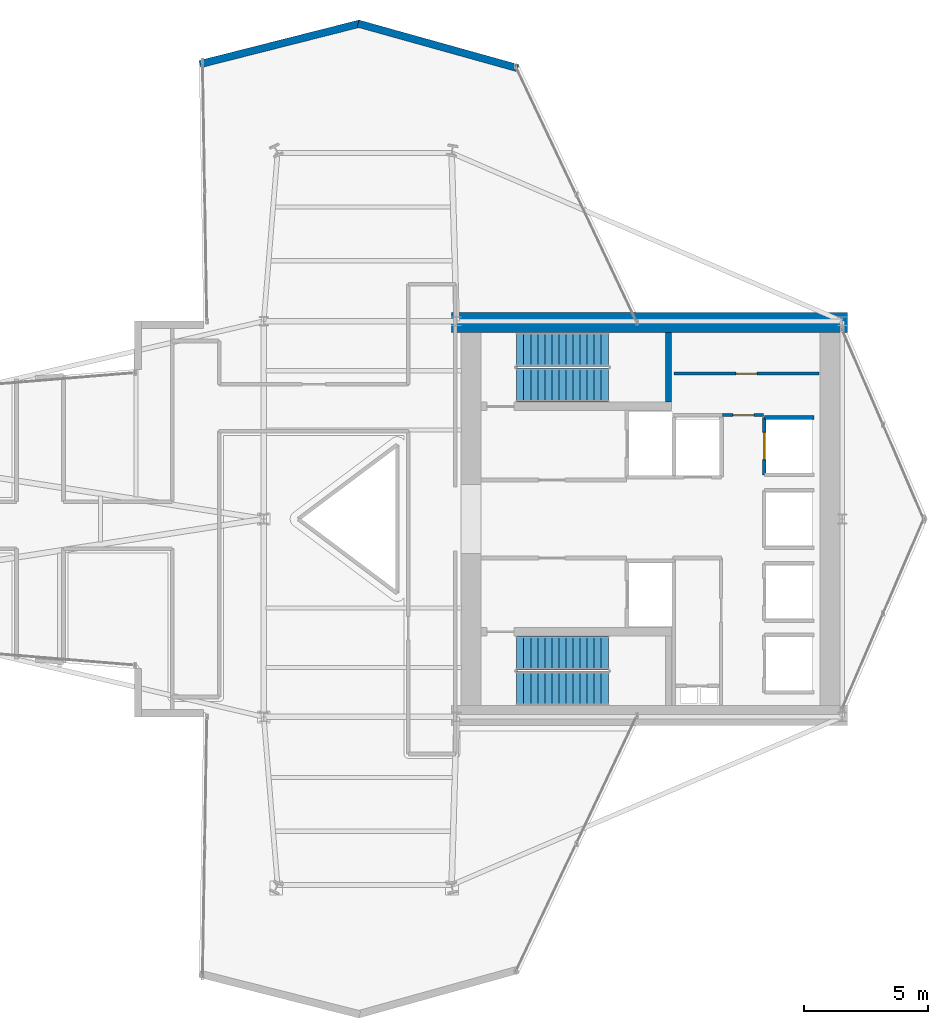
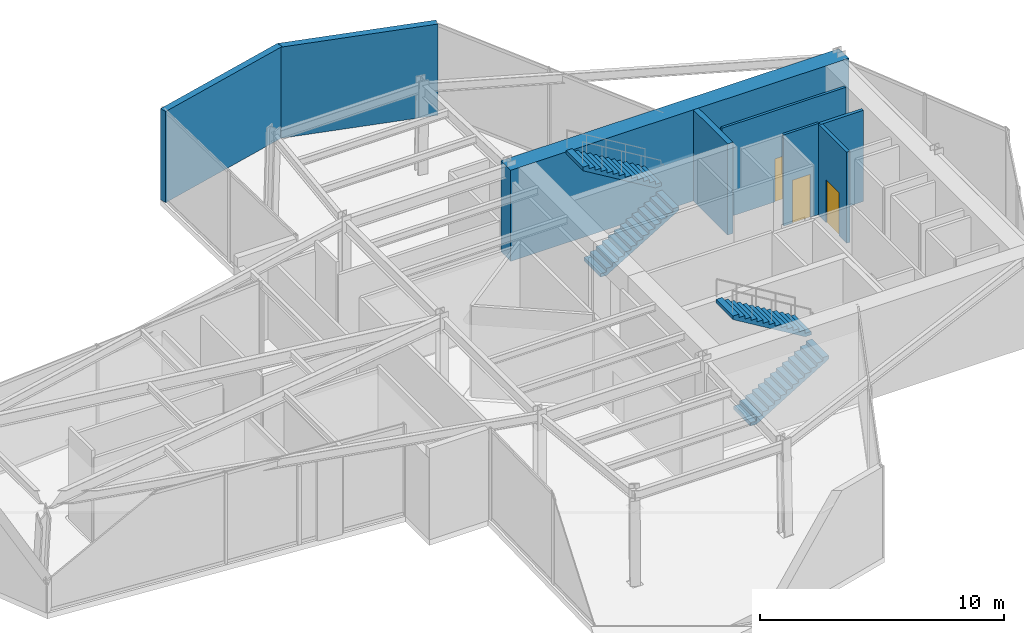
# One storey, part 11 of 13: 8 walls, 4 stair flights, 3 doors, 3 openings, 2 elements without a shape of their own.
"""IFC4 building model written with IfcOpenShell, lengths in metres."""

from ifc_helpers import new_model, si_unit, direction, frame, frame_2d, origin, place, context, subcontext, project, spatial, polyline, rectangle, outline, extrude, material, layer, layer_set, type_object, element, fill, aggregate, save


model = new_model("IFC4")

# Units and contexts
model_context = context("Model", 3, precision=1e-05, world=origin(), true_north=direction((0.0, 1.0)))
body_context = subcontext(model_context, "Body", "Model", "MODEL_VIEW")
ifc_project = project(units=[si_unit("LENGTHUNIT", "METRE"), si_unit("AREAUNIT", "SQUARE_METRE"), si_unit("VOLUMEUNIT", "CUBIC_METRE"), si_unit("PLANEANGLEUNIT", "RADIAN"), si_unit("MASSUNIT", "GRAM", prefix="KILO")], contexts=[model_context])

# Site, building, storey
site_placement = place(None, origin())
site = spatial("IfcSite", under=ifc_project, at=site_placement, CompositionType="ELEMENT")
building_placement = place(site_placement, origin())
building = spatial("IfcBuilding", under=site, at=building_placement, Name="Veymaron Broadcast Tower", CompositionType="ELEMENT")
storey_placement = place(building_placement, frame((0.0, 0.0, 112.050048828125)))
storey = spatial("IfcBuildingStorey", under=building, at=storey_placement, Name="L25", CompositionType="ELEMENT", Elevation=112.050048828125)

# Walls
ifc_material_1 = material(Name="Precast concrete C40/50 with mineral-wool insulation", Category="concrete")
ifc_layer_1 = layer(ifc_material_1, 0.300048828125)
ifc_layer_set_1 = layer_set([ifc_layer_1], Name="Precast concrete C40/50 with mineral-wool insulation")
wall_type_1 = type_object("IfcWallType", Name="WALL-EXT-300", PredefinedType="STANDARD", material=ifc_layer_set_1)
wall_1_placement = place(storey_placement, frame((41.478515625, 42.233154296875, 0.0), z_axis=(0.0, 0.0, 1.0), x_axis=(-0.963195644216, 0.268801322473, 0.0)))
element("IfcWall", 1, at=wall_1_placement, inside=storey, type_object=wall_type_1, Name="L25 notched corner facade pier 6-1", PredefinedType="STANDARD", context=body_context, shape_type="SweptSolid", body=[
    extrude(rectangle(XDim=6.711181640625, YDim=0.300048828125, at=frame_2d((3.35546875, 0.0))), origin(), (0.0, 0.0, 1.0), 4.56005859375),
])
wall_2_placement = place(storey_placement, frame((35.08642578125, 44.036376953125, 0.0), z_axis=(0.0, 0.0, 1.0), x_axis=(-0.969285922057, -0.245936579838, 0.0)))
element("IfcWall", 2, at=wall_2_placement, inside=storey, type_object=wall_type_1, Name="L25 notched corner facade pier 7-1", PredefinedType="STANDARD", context=body_context, shape_type="SweptSolid", body=[
    extrude(rectangle(XDim=6.6689453125, YDim=0.300048828125, at=frame_2d((3.33447265625, 0.0))), origin(), (0.0, 0.0, 1.0), 4.56005859375),
])

# Wall, opening, door
ifc_material_2 = material(Name="Gypsum fireboard and steel stud framing", Category="steel")
ifc_layer_2 = layer(ifc_material_2, 0.14990234375)
ifc_layer_set_2 = layer_set([ifc_layer_2], Name="Gypsum fireboard and steel stud framing")
wall_type_2 = type_object("IfcWallType", Name="WALL-FIRE-150", PredefinedType="PARTITIONING", material=ifc_layer_set_2)
wall_3_placement = place(storey_placement, frame((51.445068359375, 25.7900390625, 0.0), z_axis=(0.0, 0.0, 1.0), x_axis=(0.0, 1.0, 0.0)))
wall_3 = element("IfcWall", 3, at=wall_3_placement, inside=storey, type_object=wall_type_2, Name="L25 partition IW-L25-SHW-PM1", PredefinedType="PARTITIONING", context=body_context, shape_type="SweptSolid", body=[
    extrude(rectangle(XDim=2.320068359375, YDim=0.14990234375, at=frame_2d((1.16015625, 0.0))), origin(), (0.0, 0.0, 1.0), 4.56005859375),
])
opening_1_placement = place(wall_3_placement, frame((0.610107421875, 0.0, 0.0)))
opening_1 = element("IfcOpeningElement", 4, at=opening_1_placement, cuts=wall_3, Name="Opening LD", PredefinedType="OPENING", context=body_context, shape_type="SweptSolid", body=[
    extrude(rectangle(XDim=1.10009765625, YDim=2.14990234375, at=frame_2d((0.550048828125, 1.074951171875))), frame((0.0, 0.0849609375, 0.0), z_axis=(0.0, -1.0, 0.0), x_axis=(1.0, 0.0, 0.0)), (0.0, 0.0, 1.0), 0.169921875),
])
ifc_material_3 = material(Name="Brushed stainless steel AISI 304", Category="steel")
door_type_1 = type_object("IfcDoorType", Name="DOOR-LIFT-1100", OperationType="DOUBLE_DOOR_SLIDING", PredefinedType="DOOR", material=ifc_material_3)
door_1_placement = place(opening_1_placement, frame((1.10009765625, 0.0, 0.0), z_axis=(0.0, 0.0, 1.0), x_axis=(-1.0, 0.0, 0.0)))
door_1 = element("IfcDoor", 5, at=door_1_placement, inside=storey, type_object=door_type_1, Name="L25 door LD-L25-PM1", OperationType="DOUBLE_DOOR_SLIDING", OverallHeight=2.14990234375, OverallWidth=1.10009765625, PredefinedType="DOOR", context=body_context, shape_type="SweptSolid", body=[
    extrude(rectangle(XDim=1.10009765625, YDim=2.14990234375, at=frame_2d((0.550048828125, 1.074951171875))), frame((0.0, 0.02490234375, 0.0), z_axis=(0.0, -1.0, 0.0), x_axis=(1.0, 0.0, 0.0)), (0.0, 0.0, 1.0), 0.050048828125),
])
fill(opening_1, door_1)

# Wall
wall_4_placement = place(storey_placement, frame((51.445068359375, 28.110107421875, 0.0), z_axis=(0.0, 0.0, 1.0), x_axis=(1.0, 0.0, 0.0)))
element("IfcWall", 6, at=wall_4_placement, inside=storey, type_object=wall_type_2, Name="L25 partition IW-L25-SHN-PM1", PredefinedType="PARTITIONING", context=body_context, shape_type="SweptSolid", body=[
    extrude(rectangle(XDim=2.014892578125, YDim=0.14990234375, at=frame_2d((1.00732421875, 0.0))), origin(), (0.0, 0.0, 1.0), 4.56005859375),
])

# Wall, opening, door
ifc_material_4 = material(Name="Acoustic gypsum board and galvanized stud", Category="gypsum")
ifc_layer_3 = layer(ifc_material_4, 0.1201171875)
ifc_layer_set_3 = layer_set([ifc_layer_3], Name="Acoustic gypsum board and galvanized stud")
wall_type_3 = type_object("IfcWallType", Name="WALL-PART-120", PredefinedType="PARTITIONING", material=ifc_layer_set_3)
wall_5_placement = place(storey_placement, frame((49.75, 28.199951171875, 0.0), z_axis=(0.0, 0.0, 1.0), x_axis=(1.0, 0.0, 0.0)))
wall_5 = element("IfcWall", 7, at=wall_5_placement, inside=storey, type_object=wall_type_3, Name="L25 partition IW-L25-F1-S", PredefinedType="PARTITIONING", context=body_context, shape_type="SweptSolid", body=[
    extrude(rectangle(XDim=1.669921875, YDim=0.1201171875, at=frame_2d((0.8349609375, 0.0))), origin(), (0.0, 0.0, 1.0), 4.56005859375),
])
opening_2_placement = place(wall_5_placement, frame((0.419921875, 0.0, 0.0)))
opening_2 = element("IfcOpeningElement", 8, at=opening_2_placement, cuts=wall_5, Name="Opening ID-WC1", PredefinedType="OPENING", context=body_context, shape_type="SweptSolid", body=[
    extrude(rectangle(XDim=0.85009765625, YDim=2.14990234375, at=frame_2d((0.425048828125, 1.074951171875))), frame((0.0, 0.070068359375, 0.0), z_axis=(0.0, -1.0, 0.0), x_axis=(1.0, 0.0, 0.0)), (0.0, 0.0, 1.0), 0.14013671875),
])
ifc_material_5 = material(Name="Moisture-resistant high-pressure laminate timber", Category="wood")
door_type_2 = type_object("IfcDoorType", Name="DOOR-INT-850", OperationType="NOTDEFINED", PredefinedType="DOOR", material=ifc_material_5)
door_2_placement = place(opening_2_placement, origin())
door_2 = element("IfcDoor", 9, at=door_2_placement, inside=storey, type_object=door_type_2, Name="L25 door DR-L25-F1A", OperationType="SINGLE_SWING_LEFT", OverallHeight=2.14990234375, OverallWidth=0.85009765625, PredefinedType="DOOR", context=body_context, shape_type="SweptSolid", body=[
    extrude(rectangle(XDim=0.85009765625, YDim=2.14990234375, at=frame_2d((0.425048828125, 1.074951171875))), frame((0.0, 0.02490234375, 0.0), z_axis=(0.0, -1.0, 0.0), x_axis=(1.0, 0.0, 0.0)), (0.0, 0.0, 1.0), 0.050048828125),
])
fill(opening_2, door_2)

wall_6_placement = place(storey_placement, frame((47.800048828125, 29.8798828125, 0.0), z_axis=(0.0, 0.0, 1.0), x_axis=(1.0, 0.0, 0.0)))
wall_6 = element("IfcWall", 10, at=wall_6_placement, inside=storey, type_object=wall_type_3, Name="L25 partition IW-L25-F1-MY", PredefinedType="PARTITIONING", context=body_context, shape_type="SweptSolid", body=[
    extrude(rectangle(XDim=5.85986328125, YDim=0.1201171875, at=frame_2d((2.929931640625, 0.0))), origin(), (0.0, 0.0, 1.0), 4.56005859375),
])
opening_3_placement = place(wall_6_placement, frame((2.5, 0.0, 0.0)))
opening_3 = element("IfcOpeningElement", 11, at=opening_3_placement, cuts=wall_6, Name="Opening ID-WC1", PredefinedType="OPENING", context=body_context, shape_type="SweptSolid", body=[
    extrude(rectangle(XDim=0.85009765625, YDim=2.14990234375, at=frame_2d((0.425048828125, 1.074951171875))), frame((0.0, 0.070068359375, 0.0), z_axis=(0.0, -1.0, 0.0), x_axis=(1.0, 0.0, 0.0)), (0.0, 0.0, 1.0), 0.14013671875),
])
door_3_placement = place(opening_3_placement, origin())
door_3 = element("IfcDoor", 12, at=door_3_placement, inside=storey, type_object=door_type_2, Name="L25 door DR-L25-F1B", OperationType="SINGLE_SWING_RIGHT", OverallHeight=2.14990234375, OverallWidth=0.85009765625, PredefinedType="DOOR", context=body_context, shape_type="SweptSolid", body=[
    extrude(rectangle(XDim=0.85009765625, YDim=2.14990234375, at=frame_2d((0.425048828125, 1.074951171875))), frame((0.0, 0.02490234375, 0.0), z_axis=(0.0, -1.0, 0.0), x_axis=(1.0, 0.0, 0.0)), (0.0, 0.0, 1.0), 0.050048828125),
])
fill(opening_3, door_3)

# Walls
ifc_material_6 = material(Name="Concrete C50/60", Category="concrete")
ifc_layer_4 = layer(ifc_material_6, 0.25)
ifc_layer_set_4 = layer_set([ifc_layer_4], Name="Concrete C50/60")
wall_type_4 = type_object("IfcWallType", Name="WALL-SHEAR-250", PredefinedType="SHEAR", material=ifc_layer_set_4)
wall_7_placement = place(storey_placement, frame((47.56494140625, 28.72998046875, 0.0), z_axis=(0.0, 0.0, 1.0), x_axis=(0.0, 1.0, 0.0)))
element("IfcWall", 13, at=wall_7_placement, inside=storey, type_object=wall_type_4, Name="L25 Core Wall north stair east shear", PredefinedType="SHEAR", context=body_context, shape_type="SweptSolid", body=[
    extrude(rectangle(XDim=2.820068359375, YDim=0.25, at=frame_2d((1.41015625, 0.0))), origin(), (0.0, 0.0, 1.0), 4.56005859375),
])
ifc_material_7 = material(Name="Concrete C60/75", Category="concrete")
ifc_layer_5 = layer(ifc_material_7, 0.800048828125)
ifc_layer_set_5 = layer_set([ifc_layer_5], Name="Concrete C60/75")
wall_type_5 = type_object("IfcWallType", Name="WALL-SHEAR-800", PredefinedType="SHEAR", material=ifc_layer_set_5)
wall_8_placement = place(storey_placement, frame((38.800048828125, 31.949951171875, 0.0), z_axis=(0.0, 0.0, 1.0), x_axis=(1.0, 0.0, 0.0)))
element("IfcWall", 14, at=wall_8_placement, inside=storey, type_object=wall_type_5, Name="L25 Core Wall north shear", PredefinedType="SHEAR", context=body_context, shape_type="SweptSolid", body=[
    extrude(rectangle(XDim=16.0, YDim=0.800048828125, at=frame_2d((8.0, 0.0))), origin(), (0.0, 0.0, 1.0), 4.56005859375),
])

# Stair, stair flights
stair_type_1 = type_object("IfcStairType", Name="STAIR-CORE-1", PredefinedType="HALF_TURN_STAIR", material=ifc_material_6)
stair_1_placement = place(storey_placement, origin())
stair_1 = element("IfcStair", 15, at=stair_1_placement, inside=storey, type_object=stair_type_1, Name="L25 North protected dog-leg exit stair ST1", PredefinedType="HALF_TURN_STAIR")
ifc_material_8 = material(Name="Precast concrete C50/60", Category="concrete")
stair_flight_type = type_object("IfcStairFlightType", Name="FLT-CORE-RC", PredefinedType="STRAIGHT", material=ifc_material_8)
stair_flight_1_placement = place(storey_placement, frame((41.429931640625, 29.419921875, 0.0), z_axis=(0.0, 0.0, 1.0), x_axis=(1.0, 0.0, 0.0)))
stair_flight_1 = element("IfcStairFlight", 16, at=stair_flight_1_placement, type_object=stair_flight_type, Name="ST1 flight 1", NumberOfRisers=14, NumberOfTreads=13, PredefinedType="STRAIGHT", RiserHeight=0.171428571, TreadLength=0.285, context=body_context, shape_type="SweptSolid", body=[
    extrude(outline(polyline([(0.0, 0.0), (0.0, 0.17138671875), (0.284912109375, 0.17138671875), (0.284912109375, 0.3427734375), (0.570068359375, 0.3427734375), (0.570068359375, 0.514404296875), (0.85498046875, 0.514404296875), (0.85498046875, 0.685791015625), (1.139892578125, 0.685791015625), (1.139892578125, 0.857177734375), (1.425048828125, 0.857177734375), (1.425048828125, 1.028564453125), (1.7099609375, 1.028564453125), (1.7099609375, 1.199951171875), (1.9951171875, 1.199951171875), (1.9951171875, 1.371337890625), (2.280029296875, 1.371337890625), (2.280029296875, 1.54296875), (2.56494140625, 1.54296875), (2.56494140625, 1.71435546875), (2.85009765625, 1.71435546875), (2.85009765625, 1.8857421875), (3.135009765625, 1.8857421875), (3.135009765625, 2.05712890625), (3.419921875, 2.05712890625), (3.419921875, 2.228515625), (3.705078125, 2.228515625), (3.705078125, 2.39990234375), (3.705078125, 2.0537109375), (0.290771484375, 0.0), (0.0, 0.0)])), frame((0.0, 0.68994140625, 0.0), z_axis=(0.0, -1.0, 0.0), x_axis=(1.0, 0.0, 0.0)), (0.0, 0.0, 1.0), 1.3798828125),
])
stair_flight_2_placement = place(storey_placement, frame((45.135009765625, 30.860107421875, 2.39990234375), z_axis=(0.0, 0.0, 1.0), x_axis=(-1.0, 0.0, 0.0)))
stair_flight_2 = element("IfcStairFlight", 17, at=stair_flight_2_placement, type_object=stair_flight_type, Name="ST1 flight 2", NumberOfRisers=14, NumberOfTreads=13, PredefinedType="STRAIGHT", RiserHeight=0.171428571, TreadLength=0.285, context=body_context, shape_type="SweptSolid", body=[
    extrude(outline(polyline([(0.0, 0.0), (0.0, 0.17138671875), (0.284912109375, 0.17138671875), (0.284912109375, 0.3427734375), (0.570068359375, 0.3427734375), (0.570068359375, 0.514404296875), (0.85498046875, 0.514404296875), (0.85498046875, 0.685791015625), (1.139892578125, 0.685791015625), (1.139892578125, 0.857177734375), (1.425048828125, 0.857177734375), (1.425048828125, 1.028564453125), (1.7099609375, 1.028564453125), (1.7099609375, 1.199951171875), (1.9951171875, 1.199951171875), (1.9951171875, 1.371337890625), (2.280029296875, 1.371337890625), (2.280029296875, 1.54296875), (2.56494140625, 1.54296875), (2.56494140625, 1.71435546875), (2.85009765625, 1.71435546875), (2.85009765625, 1.8857421875), (3.135009765625, 1.8857421875), (3.135009765625, 2.05712890625), (3.419921875, 2.05712890625), (3.419921875, 2.228515625), (3.705078125, 2.228515625), (3.705078125, 2.39990234375), (3.705078125, 2.0537109375), (0.290771484375, 0.0), (0.0, 0.0)])), frame((0.0, 0.68994140625, 0.0), z_axis=(0.0, -1.0, 0.0), x_axis=(1.0, 0.0, 0.0)), (0.0, 0.0, 1.0), 1.3798828125),
])
aggregate(stair_1, [stair_flight_1, stair_flight_2])

stair_type_2 = type_object("IfcStairType", Name="STAIR-CORE-2", PredefinedType="HALF_TURN_STAIR", material=ifc_material_6)
stair_2_placement = place(storey_placement, origin())
stair_2 = element("IfcStair", 18, at=stair_2_placement, inside=storey, type_object=stair_type_2, Name="L25 South protected dog-leg exit stair ST2", PredefinedType="HALF_TURN_STAIR")
stair_flight_3_placement = place(storey_placement, frame((41.429931640625, 17.139892578125, 0.0), z_axis=(0.0, 0.0, 1.0), x_axis=(1.0, 0.0, 0.0)))
stair_flight_3 = element("IfcStairFlight", 19, at=stair_flight_3_placement, type_object=stair_flight_type, Name="ST2 flight 1", NumberOfRisers=14, NumberOfTreads=13, PredefinedType="STRAIGHT", RiserHeight=0.171428571, TreadLength=0.285, context=body_context, shape_type="SweptSolid", body=[
    extrude(outline(polyline([(0.0, 0.0), (0.0, 0.17138671875), (0.284912109375, 0.17138671875), (0.284912109375, 0.3427734375), (0.570068359375, 0.3427734375), (0.570068359375, 0.514404296875), (0.85498046875, 0.514404296875), (0.85498046875, 0.685791015625), (1.139892578125, 0.685791015625), (1.139892578125, 0.857177734375), (1.425048828125, 0.857177734375), (1.425048828125, 1.028564453125), (1.7099609375, 1.028564453125), (1.7099609375, 1.199951171875), (1.9951171875, 1.199951171875), (1.9951171875, 1.371337890625), (2.280029296875, 1.371337890625), (2.280029296875, 1.54296875), (2.56494140625, 1.54296875), (2.56494140625, 1.71435546875), (2.85009765625, 1.71435546875), (2.85009765625, 1.8857421875), (3.135009765625, 1.8857421875), (3.135009765625, 2.05712890625), (3.419921875, 2.05712890625), (3.419921875, 2.228515625), (3.705078125, 2.228515625), (3.705078125, 2.39990234375), (3.705078125, 2.0537109375), (0.290771484375, 0.0), (0.0, 0.0)])), frame((0.0, 0.68994140625, 0.0), z_axis=(0.0, -1.0, 0.0), x_axis=(1.0, 0.0, 0.0)), (0.0, 0.0, 1.0), 1.3798828125),
])
stair_flight_4_placement = place(storey_placement, frame((45.135009765625, 18.580078125, 2.39990234375), z_axis=(0.0, 0.0, 1.0), x_axis=(-1.0, 0.0, 0.0)))
stair_flight_4 = element("IfcStairFlight", 20, at=stair_flight_4_placement, type_object=stair_flight_type, Name="ST2 flight 2", NumberOfRisers=14, NumberOfTreads=13, PredefinedType="STRAIGHT", RiserHeight=0.171428571, TreadLength=0.285, context=body_context, shape_type="SweptSolid", body=[
    extrude(outline(polyline([(0.0, 0.0), (0.0, 0.17138671875), (0.284912109375, 0.17138671875), (0.284912109375, 0.3427734375), (0.570068359375, 0.3427734375), (0.570068359375, 0.514404296875), (0.85498046875, 0.514404296875), (0.85498046875, 0.685791015625), (1.139892578125, 0.685791015625), (1.139892578125, 0.857177734375), (1.425048828125, 0.857177734375), (1.425048828125, 1.028564453125), (1.7099609375, 1.028564453125), (1.7099609375, 1.199951171875), (1.9951171875, 1.199951171875), (1.9951171875, 1.371337890625), (2.280029296875, 1.371337890625), (2.280029296875, 1.54296875), (2.56494140625, 1.54296875), (2.56494140625, 1.71435546875), (2.85009765625, 1.71435546875), (2.85009765625, 1.8857421875), (3.135009765625, 1.8857421875), (3.135009765625, 2.05712890625), (3.419921875, 2.05712890625), (3.419921875, 2.228515625), (3.705078125, 2.228515625), (3.705078125, 2.39990234375), (3.705078125, 2.0537109375), (0.290771484375, 0.0), (0.0, 0.0)])), frame((0.0, 0.68994140625, 0.0), z_axis=(0.0, -1.0, 0.0), x_axis=(1.0, 0.0, 0.0)), (0.0, 0.0, 1.0), 1.3798828125),
])
aggregate(stair_2, [stair_flight_3, stair_flight_4])

save(model, "model.ifc")
